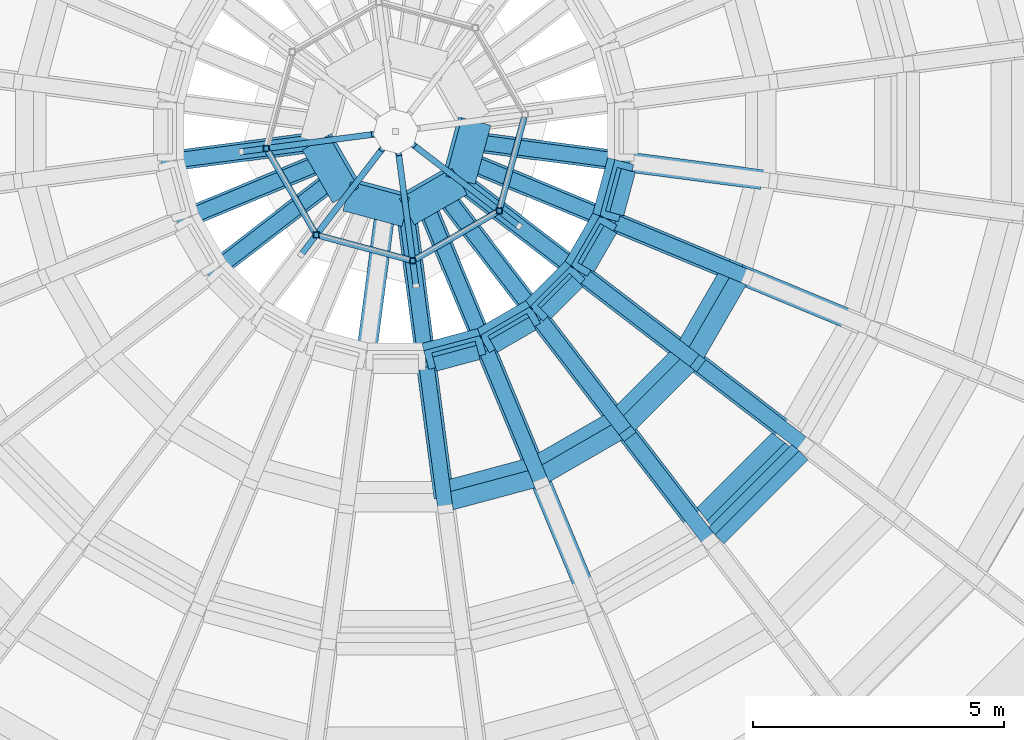
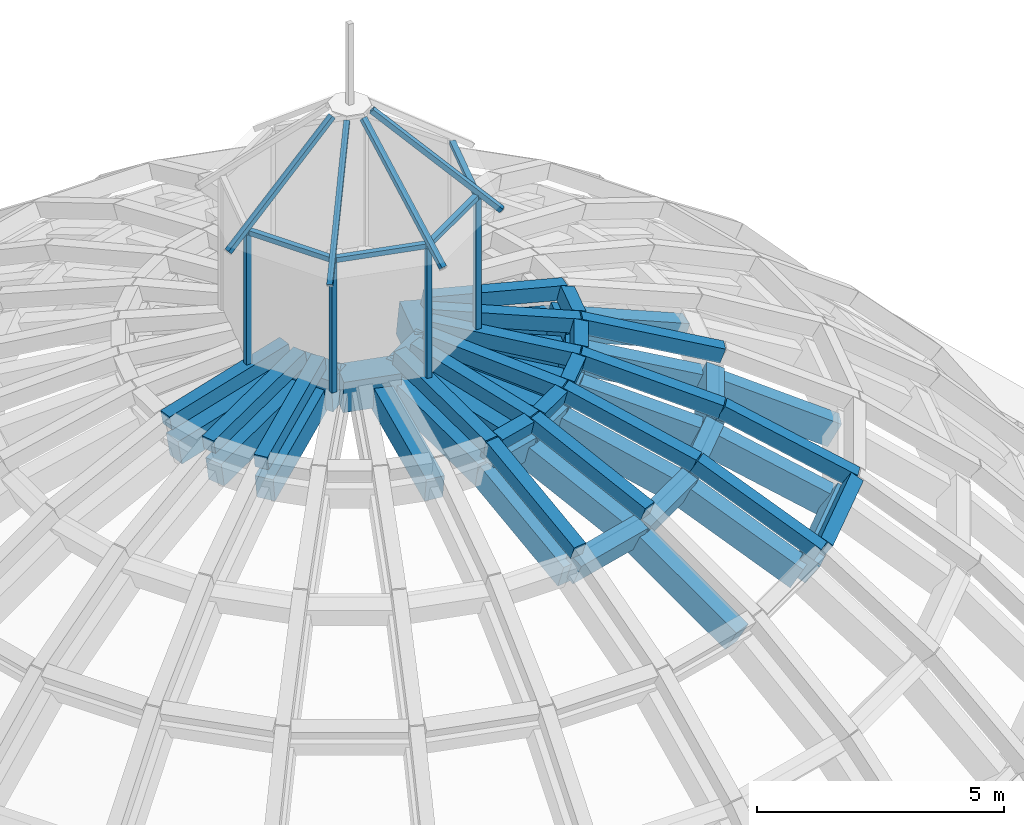
# One storey, part 12 of 29: 48 members, 20 beams.
"""IFC4 building model written with IfcOpenShell, lengths in metres."""

import ifcopenshell
import ifcopenshell.guid

model = None  # the IFC model being written
_history = None  # IfcOwnerHistory: only IFC2X3 demands one
_inside = {}  # id of a spatial element -> (the spatial element, [elements in it])
_under = {}  # id of a project, library or spatial element -> (it, [spatial elements below it])
_declared = {}  # id of a project -> (the project, [libraries it declares])
_typed = {}  # id of a type object -> (the type object, [elements of that type])
_made_of = {}  # id of a material, layer set ... -> (it, [elements and type objects made of it])


def new_model(schema):
    """Start an empty IFC model of exactly this schema.

    Asked for "IFC4X3", IfcOpenShell would pick the latest addendum, in which some entities
    have other attributes; the version numbers below select the first issue.
    IFC2X3 requires an IfcOwnerHistory on every rooted entity: one is made here for all.
    """
    global model, _history
    if schema == "IFC4X3":
        model = ifcopenshell.file(schema_version=(4, 3, 0, 0))
    else:
        model = ifcopenshell.file(schema=schema)
    _inside.clear()
    _under.clear()
    _declared.clear()
    _typed.clear()
    _made_of.clear()
    _history = None
    if model.schema == "IFC2X3":
        org = make("IfcOrganization", Name="unknown")
        user = make(
            "IfcPersonAndOrganization",
            ThePerson=make("IfcPerson", FamilyName="unknown"),
            TheOrganization=org,
        )
        app = make(
            "IfcApplication",
            ApplicationDeveloper=org,
            Version="unknown",
            ApplicationFullName="unknown",
            ApplicationIdentifier="unknown",
        )
        _history = make(
            "IfcOwnerHistory",
            OwningUser=user,
            OwningApplication=app,
            ChangeAction="ADDED",
            CreationDate=0,
        )
    return model


def make(cls, **values):
    """One entity of the class cls with the attributes given. An attribute that is None is left unset."""
    return model.create_entity(
        cls, **{name: value for name, value in values.items() if value is not None}
    )


def rooted(cls, **values):
    """An entity with a GlobalId (a new one), such as an element, a storey or a relation."""
    return make(cls, GlobalId=ifcopenshell.guid.new(), OwnerHistory=_history, **values)


def si_unit(unit_type, name, prefix=None):
    """IfcSIUnit, for example si_unit("LENGTHUNIT", "METRE", prefix="MILLI")."""
    return make("IfcSIUnit", UnitType=unit_type, Prefix=prefix, Name=name)


def assignment(units):
    """IfcUnitAssignment: the units of a project."""
    return None if units is None else make("IfcUnitAssignment", Units=units)


def point(xyz):
    """IfcCartesianPoint."""
    return None if xyz is None else make("IfcCartesianPoint", Coordinates=xyz)


def direction(xyz):
    """IfcDirection."""
    return None if xyz is None else make("IfcDirection", DirectionRatios=xyz)


def frame(location, z_axis=None, x_axis=None):
    """IfcAxis2Placement3D, a coordinate frame: its origin and axes. An axis left out is left unset."""
    return make(
        "IfcAxis2Placement3D",
        Location=point(location),
        Axis=direction(z_axis),
        RefDirection=direction(x_axis),
    )


def frame_2d(location, x_axis=None):
    """IfcAxis2Placement2D, a coordinate frame in the plane: its origin and x axis."""
    return make(
        "IfcAxis2Placement2D", Location=point(location), RefDirection=direction(x_axis)
    )


def origin():
    """The frame at (0, 0, 0) with its axes left unset."""
    return frame((0.0, 0.0, 0.0))


def origin_2d():
    """The frame at (0, 0) in the plane with its x axis left unset."""
    return frame_2d((0.0, 0.0))


def place(relative_to, where):
    """IfcLocalPlacement: puts the frame where relative to a parent placement (None: the world)."""
    return make(
        "IfcLocalPlacement", PlacementRelTo=relative_to, RelativePlacement=where
    )


def context(
    kind, dimensions, precision=None, world=None, true_north=None, identifier=None
):
    """IfcGeometricRepresentationContext, for example the 3D "Model" context."""
    return make(
        "IfcGeometricRepresentationContext",
        ContextIdentifier=identifier,
        ContextType=kind,
        CoordinateSpaceDimension=dimensions,
        Precision=precision,
        WorldCoordinateSystem=world,
        TrueNorth=true_north,
    )


def subcontext(parent, identifier, kind, view, scale=None):
    """IfcGeometricRepresentationSubContext, for example "Body" below "Model"."""
    return make(
        "IfcGeometricRepresentationSubContext",
        ContextIdentifier=identifier,
        ContextType=kind,
        ParentContext=parent,
        TargetScale=scale,
        TargetView=view,
    )


def project(units=None, contexts=None):
    """IfcProject with its units and contexts."""
    return rooted(
        "IfcProject",
        Name="project",
        RepresentationContexts=contexts,
        UnitsInContext=assignment(units),
    )


def spatial(cls, under=None, at=None, **own):
    """A site, building, storey or space (cls), placed at a placement, below another one or the project."""
    s = rooted(cls, ObjectPlacement=at, **own)
    if under is not None:
        _under.setdefault(under.id(), (under, []))[1].append(s)
    return s


def profile(cls, at=None, kind="AREA", **sizes):
    """A parametric profile (cls). Its sizes go by their IFC names, for example OverallWidth=200.0."""
    return make(cls, ProfileType=kind, Position=at, **sizes)


def rectangle(**sizes):
    """IfcRectangleProfileDef."""
    return profile("IfcRectangleProfileDef", **sizes)


def hollow_rectangle(**sizes):
    """IfcRectangleHollowProfileDef."""
    return profile("IfcRectangleHollowProfileDef", **sizes)


def extrude(swept, where, along, depth):
    """IfcExtrudedAreaSolid: the profile swept, set in the frame where, extruded along a direction by depth."""
    return make(
        "IfcExtrudedAreaSolid",
        SweptArea=swept,
        Position=where,
        ExtrudedDirection=direction(along),
        Depth=depth,
    )


def shape(context_of_items, identifier, shape_type, items):
    """IfcShapeRepresentation: the items that make up one representation, for example the "Body"."""
    return make(
        "IfcShapeRepresentation",
        ContextOfItems=context_of_items,
        RepresentationIdentifier=identifier,
        RepresentationType=shape_type,
        Items=items,
    )


def material(Name=None, Category=None):
    """IfcMaterial."""
    return make("IfcMaterial", Name=Name, Category=Category)


def material_profile(
    of_material, cross_section, Name=None, Category=None, Priority=None
):
    """IfcMaterialProfile: a cross section and its material."""
    return make(
        "IfcMaterialProfile",
        Name=Name,
        Material=of_material,
        Profile=cross_section,
        Priority=Priority,
        Category=Category,
    )


def profile_set(profiles, Name=None, composite=None):
    """IfcMaterialProfileSet."""
    return make(
        "IfcMaterialProfileSet",
        Name=Name,
        MaterialProfiles=profiles,
        CompositeProfile=composite,
    )


def made_of(thing, what):
    """Note that an element or type object is made of a material, layer set ...; save() writes the relation."""
    if what is not None:
        _made_of.setdefault(what.id(), (what, []))[1].append(thing)
    return thing


def type_object(cls, material=None, **own):
    """A type object (cls), such as IfcWallType, which elements share."""
    return made_of(rooted(cls, **own), material)


def element(
    cls,
    number,
    at=None,
    inside=None,
    cuts=None,
    type_object=None,
    material=None,
    context=None,
    identifier="Body",
    shape_type=None,
    held_by="IfcProductDefinitionShape",
    body=None,
    shapes=None,
    **own,
):
    """One element of the class cls, such as IfcWall. Its Tag is "e" and its number.

    at: its placement. inside: the storey or other place that contains it. cuts: it is an
    opening in that element (IfcRelVoidsElement). A single representation is given by context,
    identifier, shape_type and body (its items); several are given by shapes. held_by: the class
    of the entity that holds the representations. save() writes the other relations.
    """
    e = rooted(cls, Tag="e%d" % number, ObjectPlacement=at, **own)
    if body is not None:
        shapes = [shape(context, identifier, shape_type, body)]
    if shapes is not None:
        e.Representation = make(held_by, Representations=shapes)
    if inside is not None:
        _inside.setdefault(inside.id(), (inside, []))[1].append(e)
    if cuts is not None:
        rooted(
            "IfcRelVoidsElement", RelatingBuildingElement=cuts, RelatedOpeningElement=e
        )
    if type_object is not None:
        _typed.setdefault(type_object.id(), (type_object, []))[1].append(e)
    return made_of(e, material)


def aggregate(whole, parts):
    """IfcRelAggregates: a whole, such as a stair, and the parts it consists of."""
    return rooted("IfcRelAggregates", RelatingObject=whole, RelatedObjects=parts)


def save(model, path):
    """Write the relations noted so far, then the file.

    IfcRelAggregates (storeys below a building ...), IfcRelContainedInSpatialStructure (elements
    in a storey), IfcRelDefinesByType, IfcRelAssociatesMaterial and IfcRelDeclares: one each for
    every whole, place, type object, material and project.
    """
    for whole, parts in _under.values():
        aggregate(whole, parts)
    for where, things in _inside.values():
        rooted(
            "IfcRelContainedInSpatialStructure",
            RelatedElements=things,
            RelatingStructure=where,
        )
    for kind, things in _typed.values():
        rooted("IfcRelDefinesByType", RelatedObjects=things, RelatingType=kind)
    for what, things in _made_of.values():
        rooted("IfcRelAssociatesMaterial", RelatedObjects=things, RelatingMaterial=what)
    for by, libraries in _declared.values():
        rooted("IfcRelDeclares", RelatingContext=by, RelatedDefinitions=libraries)
    model.write(path)


model = new_model("IFC4")

# Units and contexts
model_context = context("Model", 3, precision=1e-05, world=origin(), true_north=direction((0.0, 1.0)))
body_context = subcontext(model_context, "Body", "Model", "MODEL_VIEW")
ifc_project = project(units=[si_unit("LENGTHUNIT", "METRE"), si_unit("AREAUNIT", "SQUARE_METRE"), si_unit("VOLUMEUNIT", "CUBIC_METRE"), si_unit("PLANEANGLEUNIT", "RADIAN"), si_unit("MASSUNIT", "GRAM", prefix="KILO")], contexts=[model_context])

# Site, building, storey
site_placement = place(None, origin())
site = spatial("IfcSite", under=ifc_project, at=site_placement, CompositionType="ELEMENT")
building_placement = place(site_placement, origin())
building = spatial("IfcBuilding", under=site, at=building_placement, Name="Golden Quay Civic Hall", CompositionType="ELEMENT")
storey_placement = place(building_placement, frame((0.0, 0.0, 27.0)))
storey = spatial("IfcBuildingStorey", under=building, at=storey_placement, Name="L06", CompositionType="ELEMENT", Elevation=27.0)

# Beams
ifc_material_1 = material(Name="Concrete C40/50", Category="concrete")
ifc_material_profile_1 = material_profile(ifc_material_1, rectangle(XDim=0.60009765625, YDim=0.800048828125, at=origin_2d()), Name="RC 600x800")
ifc_profile_set_1 = profile_set([ifc_material_profile_1], Name="Concrete C40/50")
beam_type_1 = type_object("IfcBeamType", Name="Reinforced concrete dome compression ring 600x800", PredefinedType="BEAM", material=ifc_profile_set_1)
beam_1_placement = place(storey_placement, frame((83.926513671875, 85.29296875, 9.281005859375), z_axis=(0.500029798012, -0.86600819921, 0.0), x_axis=(0.862748248742, 0.49814751517, 0.086686287396)))
element("IfcBeam", 1, at=beam_1_placement, inside=storey, type_object=beam_type_1, Name="Dome compression ring segment 5", PredefinedType="BEAM", context=body_context, shape_type="SweptSolid", body=[
    extrude(rectangle(XDim=0.60009765625, YDim=0.800048828125, at=origin_2d()), origin(), (0.0, 0.0, 1.0), 1.21484375),
])
beam_2_placement = place(storey_placement, frame((84.533935546875, 84.240966796875, 9.281005859375), z_axis=(0.965900486606, -0.258913595577, 0.0), x_axis=(0.257938956425, 0.96226450747, 0.086686287396)))
element("IfcBeam", 2, at=beam_2_placement, inside=storey, type_object=beam_type_1, Name="Dome compression ring segment 6", PredefinedType="BEAM", context=body_context, shape_type="SweptSolid", body=[
    extrude(rectangle(XDim=0.60009765625, YDim=0.800048828125, at=origin_2d()), origin(), (0.0, 0.0, 1.0), 1.214599609375),
])
beam_3_placement = place(storey_placement, frame((85.70703125, 83.926513671875, 9.281005859375), z_axis=(0.86600819921, 0.500029798012, 0.0), x_axis=(-0.49814751517, 0.862748248742, 0.086686287396)))
element("IfcBeam", 3, at=beam_3_placement, inside=storey, type_object=beam_type_1, Name="Dome compression ring segment 7", PredefinedType="BEAM", context=body_context, shape_type="SweptSolid", body=[
    extrude(rectangle(XDim=0.60009765625, YDim=0.800048828125, at=origin_2d()), origin(), (0.0, 0.0, 1.0), 1.21484375),
])
beam_4_placement = place(storey_placement, frame((86.759033203125, 84.533935546875, 9.281005859375), z_axis=(0.258913595577, 0.965900486606, 0.0), x_axis=(-0.96226450747, 0.257938956425, 0.086686287396)))
element("IfcBeam", 4, at=beam_4_placement, inside=storey, type_object=beam_type_1, Name="Dome compression ring segment 8", PredefinedType="BEAM", context=body_context, shape_type="SweptSolid", body=[
    extrude(rectangle(XDim=0.60009765625, YDim=0.800048828125, at=origin_2d()), origin(), (0.0, 0.0, 1.0), 1.214599609375),
])

# Members
ifc_material_2 = material(Name="Concrete C40/50", Category="concrete")
ifc_material_profile_2 = material_profile(ifc_material_2, rectangle(XDim=0.39990234375, YDim=0.60009765625, at=origin_2d()), Name="RC 400x600")
ifc_profile_set_2 = profile_set([ifc_material_profile_2], Name="Concrete C40/50")
member_type_1 = type_object("IfcMemberType", Name="Reinforced concrete dome meridian rib 400x600", PredefinedType="STRUT", material=ifc_profile_set_2)
member_1_placement = place(storey_placement, frame((81.05908203125, 84.915283203125, 8.60791015625), z_axis=(0.977443538671, 0.1287090103, 0.167445869992), x_axis=(-0.130552242018, 0.991441431505, 0.0)))
element("IfcMember", 5, at=member_1_placement, inside=storey, type_object=member_type_1, Name="Dome meridian rib 13.6", PredefinedType="STRUT", context=body_context, shape_type="SweptSolid", body=[
    extrude(rectangle(XDim=0.39990234375, YDim=0.60009765625, at=origin_2d()), origin(), (0.0, 0.0, 1.0), 2.94970703125),
])
member_2_placement = place(storey_placement, frame((81.36181640625, 83.785888671875, 8.60791015625), z_axis=(0.910820958747, 0.377308182311, 0.167462582891), x_axis=(-0.382712685396, 0.923867414966, 0.0)))
element("IfcMember", 6, at=member_2_placement, inside=storey, type_object=member_type_1, Name="Dome meridian rib 14.6", PredefinedType="STRUT", context=body_context, shape_type="SweptSolid", body=[
    extrude(rectangle(XDim=0.39990234375, YDim=0.60009765625, at=origin_2d()), origin(), (0.0, 0.0, 1.0), 2.94921875),
])
member_3_placement = place(storey_placement, frame((81.946533203125, 82.773193359375, 8.60791015625), z_axis=(0.782130354175, 0.600193374761, 0.167451551116), x_axis=(-0.608789293209, 0.793331958561, 0.0)))
element("IfcMember", 7, at=member_3_placement, inside=storey, type_object=member_type_1, Name="Dome meridian rib 15.6", PredefinedType="STRUT", context=body_context, shape_type="SweptSolid", body=[
    extrude(rectangle(XDim=0.39990234375, YDim=0.60009765625, at=origin_2d()), origin(), (0.0, 0.0, 1.0), 2.949462890625),
])
member_4_placement = place(storey_placement, frame((84.915283203125, 81.05908203125, 8.60791015625), z_axis=(0.1287090103, 0.977443538671, 0.167445869992), x_axis=(-0.991441431505, 0.130552242018, 0.0)))
element("IfcMember", 8, at=member_4_placement, inside=storey, type_object=member_type_1, Name="Dome meridian rib 18.6", PredefinedType="STRUT", context=body_context, shape_type="SweptSolid", body=[
    extrude(rectangle(XDim=0.39990234375, YDim=0.60009765625, at=origin_2d()), origin(), (0.0, 0.0, 1.0), 2.94970703125),
])
member_5_placement = place(storey_placement, frame((86.44873046875, 78.2939453125, 7.649169921875), z_axis=(-0.123428723032, 0.937594712982, 0.325086918407), x_axis=(-0.991445950967, -0.130517915671, 0.0)))
element("IfcMember", 9, at=member_5_placement, inside=storey, type_object=member_type_1, Name="Dome meridian rib 19.5", PredefinedType="STRUT", context=body_context, shape_type="SweptSolid", body=[
    extrude(rectangle(XDim=0.39990234375, YDim=0.60009765625, at=origin_2d()), origin(), (0.0, 0.0, 1.0), 2.94921875),
])
member_6_placement = place(storey_placement, frame((86.084716796875, 81.05908203125, 8.60791015625), z_axis=(-0.1287090103, 0.977443538671, 0.167445869992), x_axis=(-0.991441431505, -0.130552242018, 0.0)))
element("IfcMember", 10, at=member_6_placement, inside=storey, type_object=member_type_1, Name="Dome meridian rib 19.6", PredefinedType="STRUT", context=body_context, shape_type="SweptSolid", body=[
    extrude(rectangle(XDim=0.39990234375, YDim=0.60009765625, at=origin_2d()), origin(), (0.0, 0.0, 1.0), 2.94970703125),
])
member_7_placement = place(storey_placement, frame((89.275146484375, 76.385986328125, 6.25048828125), z_axis=(-0.336908735718, 0.813382122153, 0.474238365338), x_axis=(-0.923881608957, -0.382678419342, 0.0)))
element("IfcMember", 11, at=member_7_placement, inside=storey, type_object=member_type_1, Name="Dome meridian rib 20.4", PredefinedType="STRUT", context=body_context, shape_type="SweptSolid", body=[
    extrude(rectangle(XDim=0.39990234375, YDim=0.60009765625, at=origin_2d()), origin(), (0.0, 0.0, 1.0), 2.94921875),
])
member_8_placement = place(storey_placement, frame((88.281494140625, 78.784912109375, 7.649169921875), z_axis=(-0.361899031227, 0.87370637571, 0.325063471095), x_axis=(-0.923880279895, -0.382681628015, 0.0)))
element("IfcMember", 12, at=member_8_placement, inside=storey, type_object=member_type_1, Name="Dome meridian rib 20.5", PredefinedType="STRUT", context=body_context, shape_type="SweptSolid", body=[
    extrude(rectangle(XDim=0.39990234375, YDim=0.60009765625, at=origin_2d()), origin(), (0.0, 0.0, 1.0), 2.949462890625),
])
member_9_placement = place(storey_placement, frame((87.214111328125, 81.36181640625, 8.60791015625), z_axis=(-0.377308182311, 0.910820958747, 0.167462582891), x_axis=(-0.923867414966, -0.382712685396, 0.0)))
element("IfcMember", 13, at=member_9_placement, inside=storey, type_object=member_type_1, Name="Dome meridian rib 20.6", PredefinedType="STRUT", context=body_context, shape_type="SweptSolid", body=[
    extrude(rectangle(XDim=0.39990234375, YDim=0.60009765625, at=origin_2d()), origin(), (0.0, 0.0, 1.0), 2.94921875),
])
member_10_placement = place(storey_placement, frame((91.50537109375, 77.673583984375, 6.25048828125), z_axis=(-0.535972269565, 0.698460851057, 0.47422164206), x_axis=(-0.793339950358, -0.608778878712, 0.0)))
element("IfcMember", 14, at=member_10_placement, inside=storey, type_object=member_type_1, Name="Dome meridian rib 21.4", PredefinedType="STRUT", context=body_context, shape_type="SweptSolid", body=[
    extrude(rectangle(XDim=0.39990234375, YDim=0.60009765625, at=origin_2d()), origin(), (0.0, 0.0, 1.0), 2.949462890625),
])
member_11_placement = place(storey_placement, frame((89.924560546875, 79.733642578125, 7.649169921875), z_axis=(-0.575644222425, 0.750307626123, 0.325072600153), x_axis=(-0.793397803954, -0.608703478453, 0.0)))
element("IfcMember", 15, at=member_11_placement, inside=storey, type_object=member_type_1, Name="Dome meridian rib 21.5", PredefinedType="STRUT", context=body_context, shape_type="SweptSolid", body=[
    extrude(rectangle(XDim=0.39990234375, YDim=0.60009765625, at=origin_2d()), origin(), (0.0, 0.0, 1.0), 2.94921875),
])
for number, where, z_axis, x_axis, name in (
    (16, (88.226806640625, 81.946533203125, 8.60791015625), (-0.600193374761, 0.782130354175, 0.167451551116), (-0.793331958561, -0.608789293209, 0.0), "Dome meridian rib 21.6"),
    (17, (93.326416015625, 79.49462890625, 6.25048828125), (-0.698460851057, 0.535972269565, 0.47422164206), (-0.608778878712, -0.793339950358, 0.0), "Dome meridian rib 22.4"),
):
    element("IfcMember", number, at=place(storey_placement, frame(where, z_axis=z_axis, x_axis=x_axis)), inside=storey, type_object=member_type_1, Name=name, PredefinedType="STRUT", context=body_context, shape_type="SweptSolid", body=[
        extrude(rectangle(XDim=0.39990234375, YDim=0.60009765625, at=origin_2d()), origin(), (0.0, 0.0, 1.0), 2.949462890625),
    ])
member_12_placement = place(storey_placement, frame((91.266357421875, 81.075439453125, 7.649169921875), z_axis=(-0.750307626123, 0.575644222425, 0.325072600153), x_axis=(-0.608703478453, -0.793397803954, 0.0)))
element("IfcMember", 18, at=member_12_placement, inside=storey, type_object=member_type_1, Name="Dome meridian rib 22.5", PredefinedType="STRUT", context=body_context, shape_type="SweptSolid", body=[
    extrude(rectangle(XDim=0.39990234375, YDim=0.60009765625, at=origin_2d()), origin(), (0.0, 0.0, 1.0), 2.94921875),
])
member_13_placement = place(storey_placement, frame((89.053466796875, 82.773193359375, 8.60791015625), z_axis=(-0.782130354175, 0.600193374761, 0.167451551116), x_axis=(-0.608789293209, -0.793331958561, 0.0)))
element("IfcMember", 19, at=member_13_placement, inside=storey, type_object=member_type_1, Name="Dome meridian rib 22.6", PredefinedType="STRUT", context=body_context, shape_type="SweptSolid", body=[
    extrude(rectangle(XDim=0.39990234375, YDim=0.60009765625, at=origin_2d()), origin(), (0.0, 0.0, 1.0), 2.949462890625),
])
member_14_placement = place(storey_placement, frame((94.614013671875, 81.724853515625, 6.25048828125), z_axis=(-0.813382122153, 0.336908735718, 0.474238365338), x_axis=(-0.382678419342, -0.923881608957, 0.0)))
element("IfcMember", 20, at=member_14_placement, inside=storey, type_object=member_type_1, Name="Dome meridian rib 23.4", PredefinedType="STRUT", context=body_context, shape_type="SweptSolid", body=[
    extrude(rectangle(XDim=0.39990234375, YDim=0.60009765625, at=origin_2d()), origin(), (0.0, 0.0, 1.0), 2.94921875),
])
member_15_placement = place(storey_placement, frame((92.215087890625, 82.718505859375, 7.649169921875), z_axis=(-0.87370637571, 0.361899031227, 0.325063471095), x_axis=(-0.382681628015, -0.923880279895, 0.0)))
element("IfcMember", 21, at=member_15_placement, inside=storey, type_object=member_type_1, Name="Dome meridian rib 23.5", PredefinedType="STRUT", context=body_context, shape_type="SweptSolid", body=[
    extrude(rectangle(XDim=0.39990234375, YDim=0.60009765625, at=origin_2d()), origin(), (0.0, 0.0, 1.0), 2.949462890625),
])
for number, where, z_axis, x_axis, name in (
    (22, (89.63818359375, 83.785888671875, 8.60791015625), (-0.910820958747, 0.377308182311, 0.167462582891), (-0.382712685396, -0.923867414966, 0.0), "Dome meridian rib 23.6"),
    (23, (92.7060546875, 84.55126953125, 7.649169921875), (-0.937594712982, 0.123428723032, 0.325086918407), (-0.130517915671, -0.991445950967, 0.0), "Dome meridian rib 24.5"),
):
    element("IfcMember", number, at=place(storey_placement, frame(where, z_axis=z_axis, x_axis=x_axis)), inside=storey, type_object=member_type_1, Name=name, PredefinedType="STRUT", context=body_context, shape_type="SweptSolid", body=[
        extrude(rectangle(XDim=0.39990234375, YDim=0.60009765625, at=origin_2d()), origin(), (0.0, 0.0, 1.0), 2.94921875),
    ])
member_16_placement = place(storey_placement, frame((89.94091796875, 84.915283203125, 8.60791015625), z_axis=(-0.977443538671, 0.1287090103, 0.167445869992), x_axis=(-0.130552242018, -0.991441431505, 0.0)))
element("IfcMember", 24, at=member_16_placement, inside=storey, type_object=member_type_1, Name="Dome meridian rib 24.6", PredefinedType="STRUT", context=body_context, shape_type="SweptSolid", body=[
    extrude(rectangle(XDim=0.39990234375, YDim=0.60009765625, at=origin_2d()), origin(), (0.0, 0.0, 1.0), 2.94970703125),
])
ifc_material_3 = material(Name="Concrete C40/50", Category="concrete")
ifc_material_profile_3 = material_profile(ifc_material_3, rectangle(XDim=0.300048828125, YDim=0.35009765625, at=origin_2d()), Name="RC 300x350")
ifc_profile_set_3 = profile_set([ifc_material_profile_3], Name="Concrete C40/50")
member_type_2 = type_object("IfcMemberType", Name="Reinforced concrete dome outer rib 300x350", PredefinedType="STRUT", material=ifc_profile_set_3)
member_17_placement = place(storey_placement, frame((80.862060546875, 84.889404296875, 9.387939453125), z_axis=(0.977436972239, 0.128718589273, 0.167476834442), x_axis=(-0.130562654715, 0.991440060313, 0.0)))
element("IfcMember", 25, at=member_17_placement, inside=storey, type_object=member_type_2, Name="Dome outer rib 13.6", PredefinedType="STRUT", context=body_context, shape_type="SweptSolid", body=[
    extrude(rectangle(XDim=0.300048828125, YDim=0.35009765625, at=origin_2d()), origin(), (0.0, 0.0, 1.0), 3.080322265625),
])
member_18_placement = place(storey_placement, frame((81.177978515625, 83.709716796875, 9.387939453125), z_axis=(0.91084882311, 0.377241833986, 0.167460503196), x_axis=(-0.3826452496, 0.923895347406, 0.0)))
element("IfcMember", 26, at=member_18_placement, inside=storey, type_object=member_type_2, Name="Dome outer rib 14.6", PredefinedType="STRUT", context=body_context, shape_type="SweptSolid", body=[
    extrude(rectangle(XDim=0.300048828125, YDim=0.35009765625, at=origin_2d()), origin(), (0.0, 0.0, 1.0), 3.08056640625),
])
for number, where, z_axis, x_axis, name in (
    (27, (81.788818359375, 82.652099609375, 9.387939453125), (0.782109946865, 0.600214696758, 0.167470441602), (-0.608812902072, 0.793313840968, 0.0), "Dome outer rib 15.6"),
    (28, (86.49072265625, 77.973876953125, 8.386474609375), (-0.123400719122, 0.937591847923, 0.325105812357), (-0.991449730846, -0.130489199571, 0.0), "Dome outer rib 19.5"),
    (29, (86.110595703125, 80.862060546875, 9.387939453125), (-0.128718589273, 0.977436972239, 0.167476834442), (-0.991440060313, -0.130562654715, 0.0), "Dome outer rib 19.6"),
    (30, (88.405029296875, 78.48681640625, 8.386474609375), (-0.361901096187, 0.873682825945, 0.325124462671), (-0.923875860939, -0.382692296203, 0.0), "Dome outer rib 20.5"),
):
    element("IfcMember", number, at=place(storey_placement, frame(where, z_axis=z_axis, x_axis=x_axis)), inside=storey, type_object=member_type_2, Name=name, PredefinedType="STRUT", context=body_context, shape_type="SweptSolid", body=[
        extrude(rectangle(XDim=0.300048828125, YDim=0.35009765625, at=origin_2d()), origin(), (0.0, 0.0, 1.0), 3.080322265625),
    ])
member_19_placement = place(storey_placement, frame((87.290283203125, 81.177978515625, 9.387939453125), z_axis=(-0.377241833986, 0.91084882311, 0.167460503196), x_axis=(-0.923895347406, -0.3826452496, 0.0)))
element("IfcMember", 31, at=member_19_placement, inside=storey, type_object=member_type_2, Name="Dome outer rib 20.6", PredefinedType="STRUT", context=body_context, shape_type="SweptSolid", body=[
    extrude(rectangle(XDim=0.300048828125, YDim=0.35009765625, at=origin_2d()), origin(), (0.0, 0.0, 1.0), 3.08056640625),
])
member_20_placement = place(storey_placement, frame((91.772216796875, 77.325927734375, 6.926025390625), z_axis=(-0.53601815776, 0.698495937356, 0.474118086607), x_axis=(-0.793329547555, -0.608792435052, 0.0)))
element("IfcMember", 32, at=member_20_placement, inside=storey, type_object=member_type_2, Name="Dome outer rib 21.4", PredefinedType="STRUT", context=body_context, shape_type="SweptSolid", body=[
    extrude(rectangle(XDim=0.300048828125, YDim=0.35009765625, at=origin_2d()), origin(), (0.0, 0.0, 1.0), 3.080322265625),
])
member_21_placement = place(storey_placement, frame((90.12109375, 79.4775390625, 8.386474609375), z_axis=(-0.575628443439, 0.750306274823, 0.325103658955), x_axis=(-0.793405332545, -0.608693665393, 0.0)))
element("IfcMember", 33, at=member_21_placement, inside=storey, type_object=member_type_2, Name="Dome outer rib 21.5", PredefinedType="STRUT", context=body_context, shape_type="SweptSolid", body=[
    extrude(rectangle(XDim=0.300048828125, YDim=0.35009765625, at=origin_2d()), origin(), (0.0, 0.0, 1.0), 3.08056640625),
])
for number, where, z_axis, x_axis, name in (
    (34, (88.347900390625, 81.788818359375, 9.387939453125), (-0.600214696758, 0.782109946865, 0.167470441602), (-0.793313840968, -0.608812902072, 0.0), "Dome outer rib 21.6"),
    (35, (93.674072265625, 79.227783203125, 6.926025390625), (-0.698495937356, 0.53601815776, 0.474118086607), (-0.608792435052, -0.793329547555, 0.0), "Dome outer rib 22.4"),
):
    element("IfcMember", number, at=place(storey_placement, frame(where, z_axis=z_axis, x_axis=x_axis)), inside=storey, type_object=member_type_2, Name=name, PredefinedType="STRUT", context=body_context, shape_type="SweptSolid", body=[
        extrude(rectangle(XDim=0.300048828125, YDim=0.35009765625, at=origin_2d()), origin(), (0.0, 0.0, 1.0), 3.080322265625),
    ])
member_22_placement = place(storey_placement, frame((91.5224609375, 80.87890625, 8.386474609375), z_axis=(-0.750306274823, 0.575628443439, 0.325103658955), x_axis=(-0.608693665393, -0.793405332545, 0.0)))
element("IfcMember", 36, at=member_22_placement, inside=storey, type_object=member_type_2, Name="Dome outer rib 22.5", PredefinedType="STRUT", context=body_context, shape_type="SweptSolid", body=[
    extrude(rectangle(XDim=0.300048828125, YDim=0.35009765625, at=origin_2d()), origin(), (0.0, 0.0, 1.0), 3.08056640625),
])
for number, where, z_axis, x_axis, name in (
    (37, (89.211181640625, 82.652099609375, 9.387939453125), (-0.782109946865, 0.600214696758, 0.167470441602), (-0.608812902072, -0.793313840968, 0.0), "Dome outer rib 22.6"),
    (38, (92.51318359375, 82.594970703125, 8.386474609375), (-0.873682825945, 0.361901096187, 0.325124462671), (-0.382692296203, -0.923875860939, 0.0), "Dome outer rib 23.5"),
):
    element("IfcMember", number, at=place(storey_placement, frame(where, z_axis=z_axis, x_axis=x_axis)), inside=storey, type_object=member_type_2, Name=name, PredefinedType="STRUT", context=body_context, shape_type="SweptSolid", body=[
        extrude(rectangle(XDim=0.300048828125, YDim=0.35009765625, at=origin_2d()), origin(), (0.0, 0.0, 1.0), 3.080322265625),
    ])
member_23_placement = place(storey_placement, frame((89.822021484375, 83.709716796875, 9.387939453125), z_axis=(-0.91084882311, 0.377241833986, 0.167460503196), x_axis=(-0.3826452496, -0.923895347406, 0.0)))
element("IfcMember", 39, at=member_23_placement, inside=storey, type_object=member_type_2, Name="Dome outer rib 23.6", PredefinedType="STRUT", context=body_context, shape_type="SweptSolid", body=[
    extrude(rectangle(XDim=0.300048828125, YDim=0.35009765625, at=origin_2d()), origin(), (0.0, 0.0, 1.0), 3.08056640625),
])
member_24_placement = place(storey_placement, frame((90.137939453125, 84.889404296875, 9.387939453125), z_axis=(-0.977436972239, 0.128718589273, 0.167476834442), x_axis=(-0.130562654715, -0.991440060313, 0.0)))
element("IfcMember", 40, at=member_24_placement, inside=storey, type_object=member_type_2, Name="Dome outer rib 24.6", PredefinedType="STRUT", context=body_context, shape_type="SweptSolid", body=[
    extrude(rectangle(XDim=0.300048828125, YDim=0.35009765625, at=origin_2d()), origin(), (0.0, 0.0, 1.0), 3.080322265625),
])

# Beams
ifc_material_4 = material(Name="Concrete C40/50", Category="concrete")
ifc_material_profile_4 = material_profile(ifc_material_4, rectangle(XDim=0.300048828125, YDim=0.35009765625, at=origin_2d()), Name="RC 300x350")
ifc_profile_set_4 = profile_set([ifc_material_profile_4], Name="Concrete C40/50")
beam_type_2 = type_object("IfcBeamType", Name="Reinforced concrete dome outer ring beam 300x350", PredefinedType="BEAM", material=ifc_profile_set_4)
beam_5_placement = place(storey_placement, frame((91.88623046875, 77.440185546875, 6.926025390625), z_axis=(0.707106781187, 0.707106781187, 0.0), x_axis=(-0.593227182039, 0.593227182039, 0.544208618988)))
element("IfcBeam", 41, at=beam_5_placement, inside=storey, type_object=beam_type_2, Name="Dome outer ring beam segment 21", PredefinedType="BEAM", context=body_context, shape_type="SweptSolid", body=[
    extrude(rectangle(XDim=0.300048828125, YDim=0.35009765625, at=origin_2d()), origin(), (0.0, 0.0, 1.0), 2.36669921875),
])
beam_6_placement = place(storey_placement, frame((86.266357421875, 80.90380859375, 9.387939453125), z_axis=(0.965981989147, 0.258609351425, 0.0), x_axis=(-0.250590285458, 0.936028419209, 0.247093721627)))
element("IfcBeam", 42, at=beam_6_placement, inside=storey, type_object=beam_type_2, Name="Dome crown outer ring beam segment 19", PredefinedType="BEAM", context=body_context, shape_type="SweptSolid", body=[
    extrude(rectangle(XDim=0.300048828125, YDim=0.35009765625, at=origin_2d()), origin(), (0.0, 0.0, 1.0), 0.898681640625),
])
beam_7_placement = place(storey_placement, frame((87.429931640625, 81.2587890625, 9.387939453125), z_axis=(0.866027204995, 0.499996880198, 0.0), x_axis=(-0.484492769679, 0.839173074438, 0.247093721627)))
element("IfcBeam", 43, at=beam_7_placement, inside=storey, type_object=beam_type_2, Name="Dome crown outer ring beam segment 20", PredefinedType="BEAM", context=body_context, shape_type="SweptSolid", body=[
    extrude(rectangle(XDim=0.300048828125, YDim=0.35009765625, at=origin_2d()), origin(), (0.0, 0.0, 1.0), 0.8984375),
])
beam_8_placement = place(storey_placement, frame((88.4619140625, 81.902587890625, 9.387939453125), z_axis=(0.707106781187, 0.707106781187, 0.0), x_axis=(-0.685180521006, 0.685180521006, 0.247093721627)))
element("IfcBeam", 44, at=beam_8_placement, inside=storey, type_object=beam_type_2, Name="Dome crown outer ring beam segment 21", PredefinedType="BEAM", context=body_context, shape_type="SweptSolid", body=[
    extrude(rectangle(XDim=0.300048828125, YDim=0.35009765625, at=origin_2d()), origin(), (0.0, 0.0, 1.0), 0.898681640625),
])
beam_9_placement = place(storey_placement, frame((89.2919921875, 82.7919921875, 9.387939453125), z_axis=(0.499996880198, 0.866027204995, 0.0), x_axis=(-0.839173074438, 0.484492769679, 0.247093721627)))
element("IfcBeam", 45, at=beam_9_placement, inside=storey, type_object=beam_type_2, Name="Dome crown outer ring beam segment 22", PredefinedType="BEAM", context=body_context, shape_type="SweptSolid", body=[
    extrude(rectangle(XDim=0.300048828125, YDim=0.35009765625, at=origin_2d()), origin(), (0.0, 0.0, 1.0), 0.8984375),
])
beam_10_placement = place(storey_placement, frame((89.86376953125, 83.865478515625, 9.387939453125), z_axis=(0.258609351425, 0.965981989147, 0.0), x_axis=(-0.936028419209, 0.250590285458, 0.247093721627)))
element("IfcBeam", 46, at=beam_10_placement, inside=storey, type_object=beam_type_2, Name="Dome crown outer ring beam segment 23", PredefinedType="BEAM", context=body_context, shape_type="SweptSolid", body=[
    extrude(rectangle(XDim=0.300048828125, YDim=0.35009765625, at=origin_2d()), origin(), (0.0, 0.0, 1.0), 0.898681640625),
])
ifc_material_5 = material(Name="Concrete C40/50", Category="concrete")
ifc_material_profile_5 = material_profile(ifc_material_5, rectangle(XDim=0.39990234375, YDim=0.60009765625, at=origin_2d()), Name="RC 400x600")
ifc_profile_set_5 = profile_set([ifc_material_profile_5], Name="Concrete C40/50")
beam_type_3 = type_object("IfcBeamType", Name="Reinforced concrete dome ring rib 400x600", PredefinedType="BEAM", material=ifc_profile_set_5)
beam_11_placement = place(storey_placement, frame((91.565185546875, 77.595947265625, 6.401611328125), z_axis=(0.707106781187, 0.707106781187, 0.0), x_axis=(-0.593227182039, 0.593227182039, 0.544208618988)))
element("IfcBeam", 47, at=beam_11_placement, inside=storey, type_object=beam_type_3, Name="Dome ring rib 3.21", PredefinedType="BEAM", context=body_context, shape_type="SweptSolid", body=[
    extrude(rectangle(XDim=0.39990234375, YDim=0.60009765625, at=origin_2d()), origin(), (0.0, 0.0, 1.0), 2.6005859375),
])
for number, where, z_axis, x_axis, name in (
    (48, (86.4580078125, 78.222412109375, 7.81396484375), (0.965944639942, 0.258748821383, 0.0), (-0.237038839633, 0.884898317134, 0.40095829813), "Dome ring rib 4.19"),
    (49, (88.30908203125, 78.71826171875, 7.81396484375), (0.865984012091, 0.500071685664, 0.0), (-0.458113824325, 0.793324755143, 0.40095829813), "Dome ring rib 4.20"),
    (50, (89.968505859375, 79.676513671875, 7.81396484375), (0.707106781187, 0.707106781187, 0.0), (-0.647777910692, 0.647777910692, 0.40095829813), "Dome ring rib 4.21"),
    (51, (91.323486328125, 81.031494140625, 7.81396484375), (0.500071685664, 0.865984012091, 0.0), (-0.793324755143, 0.458113824325, 0.40095829813), "Dome ring rib 4.22"),
):
    element("IfcBeam", number, at=place(storey_placement, frame(where, z_axis=z_axis, x_axis=x_axis)), inside=storey, type_object=beam_type_3, Name=name, PredefinedType="BEAM", context=body_context, shape_type="SweptSolid", body=[
        extrude(rectangle(XDim=0.39990234375, YDim=0.60009765625, at=origin_2d()), origin(), (0.0, 0.0, 1.0), 1.916259765625),
    ])
beam_12_placement = place(storey_placement, frame((86.09033203125, 81.01513671875, 8.7822265625), z_axis=(0.965932366965, 0.258794633734, 0.0), x_axis=(-0.250769822456, 0.935980335732, 0.247093721627)))
element("IfcBeam", 52, at=beam_12_placement, inside=storey, type_object=beam_type_3, Name="Dome ring rib 5.19", PredefinedType="BEAM", context=body_context, shape_type="SweptSolid", body=[
    extrude(rectangle(XDim=0.39990234375, YDim=0.60009765625, at=origin_2d()), origin(), (0.0, 0.0, 1.0), 1.18115234375),
])
for number, where, z_axis, x_axis, name in (
    (53, (87.231201171875, 81.32080078125, 8.7822265625), (0.866071977875, 0.499919322631, 0.0), (-0.484417617049, 0.839216458981, 0.247093721627), "Dome ring rib 5.20"),
    (54, (88.25390625, 81.9111328125, 8.7822265625), (0.707106781187, 0.707106781187, 0.0), (-0.685180521006, 0.685180521006, 0.247093721627), "Dome ring rib 5.21"),
    (55, (89.0888671875, 82.74609375, 8.7822265625), (0.499919322631, 0.866071977875, 0.0), (-0.839216458981, 0.484417617049, 0.247093721627), "Dome ring rib 5.22"),
):
    element("IfcBeam", number, at=place(storey_placement, frame(where, z_axis=z_axis, x_axis=x_axis)), inside=storey, type_object=beam_type_3, Name=name, PredefinedType="BEAM", context=body_context, shape_type="SweptSolid", body=[
        extrude(rectangle(XDim=0.39990234375, YDim=0.60009765625, at=origin_2d()), origin(), (0.0, 0.0, 1.0), 1.180908203125),
    ])
beam_13_placement = place(storey_placement, frame((89.67919921875, 83.768798828125, 8.7822265625), z_axis=(0.258794633734, 0.965932366965, 0.0), x_axis=(-0.935980335732, 0.250769822456, 0.247093721627)))
element("IfcBeam", 56, at=beam_13_placement, inside=storey, type_object=beam_type_3, Name="Dome ring rib 5.23", PredefinedType="BEAM", context=body_context, shape_type="SweptSolid", body=[
    extrude(rectangle(XDim=0.39990234375, YDim=0.60009765625, at=origin_2d()), origin(), (0.0, 0.0, 1.0), 1.18115234375),
])

# Members
ifc_material_6 = material(Name="Steel S355", Category="steel")
ifc_material_profile_6 = material_profile(ifc_material_6, hollow_rectangle(XDim=0.1201171875, YDim=0.1201171875, WallThickness=0.008056640625, at=origin_2d()), Name="SHS 120x120x8")
ifc_profile_set_6 = profile_set([ifc_material_profile_6], Name="Steel S355")
member_type_3 = type_object("IfcMemberType", Name="Steel lantern hip rafter SHS 120x120x8", PredefinedType="RAFTER", material=ifc_profile_set_6)
member_25_placement = place(storey_placement, frame((82.426513671875, 85.095458984375, 12.879150390625), z_axis=(0.760160192281, 0.10009729509, 0.6419789822), x_axis=(-0.13055222668, 0.991441433524, 0.0)))
element("IfcMember", 57, at=member_25_placement, inside=storey, type_object=member_type_3, Name="Lantern hip rafter 5", PredefinedType="RAFTER", context=body_context, shape_type="SweptSolid", body=[
    extrude(hollow_rectangle(XDim=0.1201171875, YDim=0.1201171875, WallThickness=0.008056640625, at=origin_2d()), origin(), (0.0, 0.0, 1.0), 3.4560546875),
])
member_26_placement = place(storey_placement, frame((83.61279296875, 83.04052734375, 12.879150390625), z_axis=(0.466761711495, 0.608315959352, 0.64193862501), x_axis=(-0.793363129336, 0.608748671465, 0.0)))
element("IfcMember", 58, at=member_26_placement, inside=storey, type_object=member_type_3, Name="Lantern hip rafter 6", PredefinedType="RAFTER", context=body_context, shape_type="SweptSolid", body=[
    extrude(hollow_rectangle(XDim=0.1201171875, YDim=0.1201171875, WallThickness=0.008056640625, at=origin_2d()), origin(), (0.0, 0.0, 1.0), 3.456298828125),
])
member_27_placement = place(storey_placement, frame((85.904541015625, 82.426513671875, 12.879150390625), z_axis=(-0.10009729509, 0.760160192281, 0.6419789822), x_axis=(-0.991441433524, -0.13055222668, 0.0)))
element("IfcMember", 59, at=member_27_placement, inside=storey, type_object=member_type_3, Name="Lantern hip rafter 7", PredefinedType="RAFTER", context=body_context, shape_type="SweptSolid", body=[
    extrude(hollow_rectangle(XDim=0.1201171875, YDim=0.1201171875, WallThickness=0.008056640625, at=origin_2d()), origin(), (0.0, 0.0, 1.0), 3.4560546875),
])
member_28_placement = place(storey_placement, frame((87.95947265625, 83.61279296875, 12.879150390625), z_axis=(-0.608315959352, 0.466761711495, 0.64193862501), x_axis=(-0.608748671465, -0.793363129336, 0.0)))
element("IfcMember", 60, at=member_28_placement, inside=storey, type_object=member_type_3, Name="Lantern hip rafter 8", PredefinedType="RAFTER", context=body_context, shape_type="SweptSolid", body=[
    extrude(hollow_rectangle(XDim=0.1201171875, YDim=0.1201171875, WallThickness=0.008056640625, at=origin_2d()), origin(), (0.0, 0.0, 1.0), 3.456298828125),
])
ifc_material_7 = material(Name="Steel S355", Category="steel")
ifc_material_profile_7 = material_profile(ifc_material_7, hollow_rectangle(XDim=0.1201171875, YDim=0.1201171875, WallThickness=0.008056640625, at=origin_2d()), Name="SHS 120x120x8")
ifc_profile_set_7 = profile_set([ifc_material_profile_7], Name="Steel S355")
member_type_4 = type_object("IfcMemberType", Name="Steel lantern post SHS 120x120x8", PredefinedType="POST", material=ifc_profile_set_7)
for number, where, z_axis, x_axis, name in (
    (61, (82.922119140625, 85.16064453125, 9.917724609375), (0.0, 0.0, 1.0), (1.0, 0.0, 0.0), "Lantern post 5"),
    (62, (83.917236328125, 83.437255859375, 9.917724609375), (0.0, 0.0, 1.0), (1.0, 0.0, 0.0), "Lantern post 6"),
    (63, (85.83935546875, 82.922119140625, 9.917724609375), (0.0, 0.0, 1.0), (1.0, 0.0, 0.0), "Lantern post 7"),
    (64, (87.562744140625, 83.917236328125, 9.917724609375), (0.0, 0.0, 1.0), (1.0, 0.0, 0.0), "Lantern post 8"),
):
    element("IfcMember", number, at=place(storey_placement, frame(where, z_axis=z_axis, x_axis=x_axis)), inside=storey, type_object=member_type_4, Name=name, PredefinedType="POST", context=body_context, shape_type="SweptSolid", body=[
        extrude(hollow_rectangle(XDim=0.1201171875, YDim=0.1201171875, WallThickness=0.008056640625, at=origin_2d()), origin(), (0.0, 0.0, 1.0), 3.2001953125),
    ])
ifc_material_8 = material(Name="Steel S355", Category="steel")
ifc_material_profile_8 = material_profile(ifc_material_8, hollow_rectangle(XDim=0.1201171875, YDim=0.1201171875, WallThickness=0.008056640625, at=origin_2d()), Name="SHS 120x120x8")
ifc_profile_set_8 = profile_set([ifc_material_profile_8], Name="Steel S355")
member_type_5 = type_object("IfcMemberType", Name="Steel lantern ring member SHS 120x120x8", PredefinedType="STRUT", material=ifc_profile_set_8)
member_29_placement = place(storey_placement, frame((82.9521484375, 85.108642578125, 13.177734375), z_axis=(0.500042659475, -0.866000772924, 0.0), x_axis=(0.866000772924, 0.500042659475, 0.0)))
element("IfcMember", 65, at=member_29_placement, inside=storey, type_object=member_type_5, Name="Lantern ring member 5", PredefinedType="STRUT", context=body_context, shape_type="SweptSolid", body=[
    extrude(hollow_rectangle(XDim=0.1201171875, YDim=0.1201171875, WallThickness=0.008056640625, at=origin_2d()), origin(), (0.0, 0.0, 1.0), 1.869873046875),
])
member_30_placement = place(storey_placement, frame((83.97509765625, 83.421875, 13.177734375), z_axis=(0.965911336589, -0.258873115347, 0.0), x_axis=(0.258873115347, 0.965911336589, 0.0)))
element("IfcMember", 66, at=member_30_placement, inside=storey, type_object=member_type_5, Name="Lantern ring member 6", PredefinedType="STRUT", context=body_context, shape_type="SweptSolid", body=[
    extrude(hollow_rectangle(XDim=0.1201171875, YDim=0.1201171875, WallThickness=0.008056640625, at=origin_2d()), origin(), (0.0, 0.0, 1.0), 1.8701171875),
])
member_31_placement = place(storey_placement, frame((85.891357421875, 82.9521484375, 13.177734375), z_axis=(0.866000772924, 0.500042659475, 0.0), x_axis=(-0.500042659475, 0.866000772924, 0.0)))
element("IfcMember", 67, at=member_31_placement, inside=storey, type_object=member_type_5, Name="Lantern ring member 7", PredefinedType="STRUT", context=body_context, shape_type="SweptSolid", body=[
    extrude(hollow_rectangle(XDim=0.1201171875, YDim=0.1201171875, WallThickness=0.008056640625, at=origin_2d()), origin(), (0.0, 0.0, 1.0), 1.869873046875),
])
member_32_placement = place(storey_placement, frame((87.578125, 83.97509765625, 13.177734375), z_axis=(0.258873115347, 0.965911336589, 0.0), x_axis=(-0.965911336589, 0.258873115347, 0.0)))
element("IfcMember", 68, at=member_32_placement, inside=storey, type_object=member_type_5, Name="Lantern ring member 8", PredefinedType="STRUT", context=body_context, shape_type="SweptSolid", body=[
    extrude(hollow_rectangle(XDim=0.1201171875, YDim=0.1201171875, WallThickness=0.008056640625, at=origin_2d()), origin(), (0.0, 0.0, 1.0), 1.8701171875),
])

save(model, "model.ifc")
